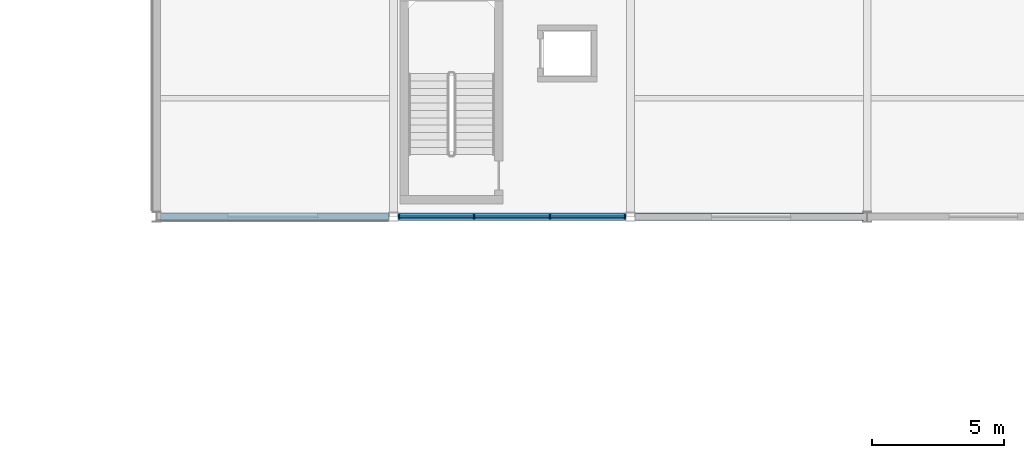
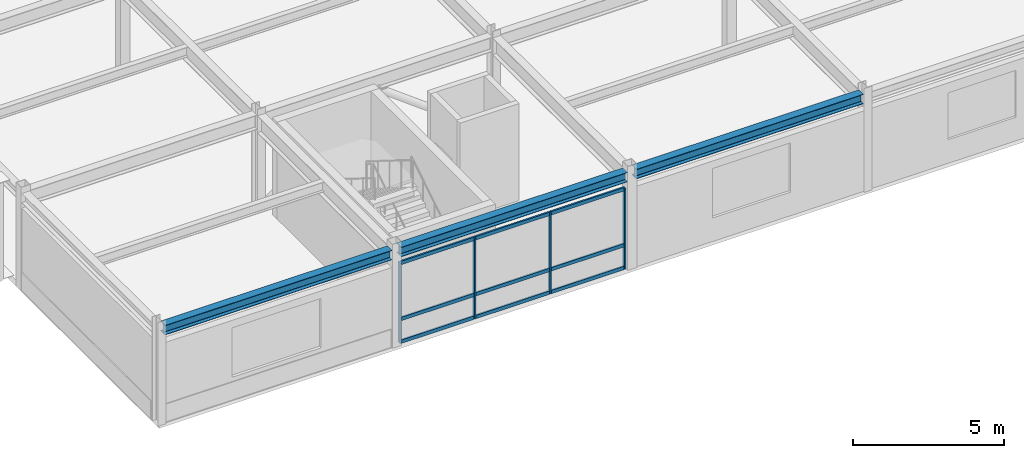
# One storey, part 16 of 53: 13 members, 3 beams, 1 element without a shape of its own.
"""IFC4 building model written with IfcOpenShell, lengths in metres."""

from ifc_helpers import new_model, si_unit, direction, frame, origin, origin_2d, place, context, subcontext, project, spatial, rectangle, i_section, extrude, material, material_profile, profile_set, type_object, element, aggregate, save


model = new_model("IFC4")

# Units and contexts
model_context = context("Model", 3, precision=1e-05, world=origin(), true_north=direction((0.0, 1.0)))
body_context = subcontext(model_context, "Body", "Model", "MODEL_VIEW")
ifc_project = project(units=[si_unit("LENGTHUNIT", "METRE"), si_unit("AREAUNIT", "SQUARE_METRE"), si_unit("VOLUMEUNIT", "CUBIC_METRE"), si_unit("PLANEANGLEUNIT", "RADIAN"), si_unit("MASSUNIT", "GRAM", prefix="KILO")], contexts=[model_context])

# Site, building, storey
site_placement = place(None, origin())
site = spatial("IfcSite", under=ifc_project, at=site_placement, CompositionType="ELEMENT")
building_placement = place(site_placement, origin())
building = spatial("IfcBuilding", under=site, at=building_placement, Name="Suzunagisa Mobility Hub", CompositionType="ELEMENT")
storey_placement = place(building_placement, frame((0.0, 0.0, 17.699951171875)))
storey = spatial("IfcBuildingStorey", under=building, at=storey_placement, Name="L04", CompositionType="ELEMENT", Elevation=17.699951171875)

# Curtain wall, members
ifc_material_1 = material(Name="Thermally Broken Anodized Aluminum and Low-E Glazing", Category="aluminium")
curtain_wall_type = type_object("IfcCurtainWallType", Name="Unitised Curtain Wall CW-13 8750x3200", PredefinedType="USERDEFINED", material=ifc_material_1)
curtain_wall_placement = place(storey_placement, origin())
curtain_wall = element("IfcCurtainWall", 1, at=curtain_wall_placement, inside=storey, type_object=curtain_wall_type, Name="L04 Unitised Curtain Wall CW-131", ObjectType="UNITISED CURTAIN WALL", PredefinedType="USERDEFINED")
ifc_material_2 = material(Name="Anodized Aluminum 6063-T6", Category="aluminium")
ifc_material_profile_1 = material_profile(ifc_material_2, rectangle(XDim=0.06494140625, YDim=0.139892578125, at=origin_2d()), Name="TRAN-65x140")
ifc_profile_set_1 = profile_set([ifc_material_profile_1], Name="Anodized Aluminum 6063-T6")
member_type_1 = type_object("IfcMemberType", Name="Curtain Wall Framing CM-01 TRAN-65x140", PredefinedType="USERDEFINED", material=ifc_profile_set_1)
member_1_placement = place(storey_placement, frame((54.23291015625, 80.0, 0.032470703125), z_axis=(1.0, 0.0, 0.0), x_axis=(0.0, 1.0, 0.0)))
member_1 = element("IfcMember", 2, at=member_1_placement, type_object=member_type_1, Name="Curtain Wall Transom 131-T1.1", ObjectType="TRANSOM", PredefinedType="USERDEFINED", context=body_context, shape_type="SweptSolid", body=[
    extrude(rectangle(XDim=0.06494140625, YDim=0.139892578125, at=origin_2d()), origin(), (0.0, 0.0, 1.0), 2.79736328125),
])
member_2_placement = place(storey_placement, frame((54.23291015625, 80.0, 0.949951171875), z_axis=(1.0, 0.0, 0.0), x_axis=(0.0, 1.0, 0.0)))
member_2 = element("IfcMember", 3, at=member_2_placement, type_object=member_type_1, Name="Curtain Wall Transom 131-T1.2", ObjectType="TRANSOM", PredefinedType="USERDEFINED", context=body_context, shape_type="SweptSolid", body=[
    extrude(rectangle(XDim=0.06494140625, YDim=0.139892578125, at=origin_2d()), origin(), (0.0, 0.0, 1.0), 2.79736328125),
])
member_3_placement = place(storey_placement, frame((54.23291015625, 80.0, 3.217529296875), z_axis=(1.0, 0.0, 0.0), x_axis=(0.0, 1.0, 0.0)))
member_3 = element("IfcMember", 4, at=member_3_placement, type_object=member_type_1, Name="Curtain Wall Transom 131-T1.3", ObjectType="TRANSOM", PredefinedType="USERDEFINED", context=body_context, shape_type="SweptSolid", body=[
    extrude(rectangle(XDim=0.06494140625, YDim=0.139892578125, at=origin_2d()), origin(), (0.0, 0.0, 1.0), 2.79736328125),
])
member_4_placement = place(storey_placement, frame((57.086181640625, 80.0, 0.032470703125), z_axis=(1.0, 0.0, 0.0), x_axis=(0.0, 1.0, 0.0)))
member_4 = element("IfcMember", 5, at=member_4_placement, type_object=member_type_1, Name="Curtain Wall Transom 131-T2.1", ObjectType="TRANSOM", PredefinedType="USERDEFINED", context=body_context, shape_type="SweptSolid", body=[
    extrude(rectangle(XDim=0.06494140625, YDim=0.139892578125, at=origin_2d()), origin(), (0.0, 0.0, 1.0), 2.82763671875),
])
member_5_placement = place(storey_placement, frame((57.086181640625, 80.0, 0.949951171875), z_axis=(1.0, 0.0, 0.0), x_axis=(0.0, 1.0, 0.0)))
member_5 = element("IfcMember", 6, at=member_5_placement, type_object=member_type_1, Name="Curtain Wall Transom 131-T2.2", ObjectType="TRANSOM", PredefinedType="USERDEFINED", context=body_context, shape_type="SweptSolid", body=[
    extrude(rectangle(XDim=0.06494140625, YDim=0.139892578125, at=origin_2d()), origin(), (0.0, 0.0, 1.0), 2.82763671875),
])
member_6_placement = place(storey_placement, frame((57.086181640625, 80.0, 3.217529296875), z_axis=(1.0, 0.0, 0.0), x_axis=(0.0, 1.0, 0.0)))
member_6 = element("IfcMember", 7, at=member_6_placement, type_object=member_type_1, Name="Curtain Wall Transom 131-T2.3", ObjectType="TRANSOM", PredefinedType="USERDEFINED", context=body_context, shape_type="SweptSolid", body=[
    extrude(rectangle(XDim=0.06494140625, YDim=0.139892578125, at=origin_2d()), origin(), (0.0, 0.0, 1.0), 2.82763671875),
])
member_7_placement = place(storey_placement, frame((59.9697265625, 80.0, 0.032470703125), z_axis=(1.0, 0.0, 0.0), x_axis=(0.0, 1.0, 0.0)))
member_7 = element("IfcMember", 8, at=member_7_placement, type_object=member_type_1, Name="Curtain Wall Transom 131-T3.1", ObjectType="TRANSOM", PredefinedType="USERDEFINED", context=body_context, shape_type="SweptSolid", body=[
    extrude(rectangle(XDim=0.06494140625, YDim=0.139892578125, at=origin_2d()), origin(), (0.0, 0.0, 1.0), 2.79736328125),
])
member_8_placement = place(storey_placement, frame((59.9697265625, 80.0, 0.949951171875), z_axis=(1.0, 0.0, 0.0), x_axis=(0.0, 1.0, 0.0)))
member_8 = element("IfcMember", 9, at=member_8_placement, type_object=member_type_1, Name="Curtain Wall Transom 131-T3.2", ObjectType="TRANSOM", PredefinedType="USERDEFINED", context=body_context, shape_type="SweptSolid", body=[
    extrude(rectangle(XDim=0.06494140625, YDim=0.139892578125, at=origin_2d()), origin(), (0.0, 0.0, 1.0), 2.79736328125),
])
member_9_placement = place(storey_placement, frame((59.9697265625, 80.0, 3.217529296875), z_axis=(1.0, 0.0, 0.0), x_axis=(0.0, 1.0, 0.0)))
member_9 = element("IfcMember", 10, at=member_9_placement, type_object=member_type_1, Name="Curtain Wall Transom 131-T3.3", ObjectType="TRANSOM", PredefinedType="USERDEFINED", context=body_context, shape_type="SweptSolid", body=[
    extrude(rectangle(XDim=0.06494140625, YDim=0.139892578125, at=origin_2d()), origin(), (0.0, 0.0, 1.0), 2.79736328125),
])
ifc_material_profile_2 = material_profile(ifc_material_2, rectangle(XDim=0.06005859375, YDim=0.14990234375, at=origin_2d()), Name="MULL-60x150")
ifc_profile_set_2 = profile_set([ifc_material_profile_2], Name="Anodized Aluminum 6063-T6")
member_type_2 = type_object("IfcMemberType", Name="Curtain Wall Framing CM-03 MULL-60x150", PredefinedType="MULLION", material=ifc_profile_set_2)
member_10_placement = place(storey_placement, frame((54.205078125, 80.0, 0.0), z_axis=(0.0, 0.0, 1.0), x_axis=(1.0, 0.0, 0.0)))
member_10 = element("IfcMember", 11, at=member_10_placement, type_object=member_type_2, Name="Curtain Wall Mullion 131-M1", PredefinedType="MULLION", context=body_context, shape_type="SweptSolid", body=[
    extrude(rectangle(XDim=0.06005859375, YDim=0.14990234375, at=origin_2d()), origin(), (0.0, 0.0, 1.0), 3.25),
])
member_11_placement = place(storey_placement, frame((57.058349609375, 80.0, 0.0), z_axis=(0.0, 0.0, 1.0), x_axis=(1.0, 0.0, 0.0)))
member_11 = element("IfcMember", 12, at=member_11_placement, type_object=member_type_2, Name="Curtain Wall Mullion 131-M2", PredefinedType="MULLION", context=body_context, shape_type="SweptSolid", body=[
    extrude(rectangle(XDim=0.06005859375, YDim=0.14990234375, at=origin_2d()), origin(), (0.0, 0.0, 1.0), 3.25),
])
member_12_placement = place(storey_placement, frame((59.941650390625, 80.0, 0.0), z_axis=(0.0, 0.0, 1.0), x_axis=(1.0, 0.0, 0.0)))
member_12 = element("IfcMember", 13, at=member_12_placement, type_object=member_type_2, Name="Curtain Wall Mullion 131-M3", PredefinedType="MULLION", context=body_context, shape_type="SweptSolid", body=[
    extrude(rectangle(XDim=0.06005859375, YDim=0.14990234375, at=origin_2d()), origin(), (0.0, 0.0, 1.0), 3.25),
])
member_13_placement = place(storey_placement, frame((62.794921875, 80.0, 0.0), z_axis=(0.0, 0.0, 1.0), x_axis=(1.0, 0.0, 0.0)))
member_13 = element("IfcMember", 14, at=member_13_placement, type_object=member_type_2, Name="Curtain Wall Mullion 131-M4", PredefinedType="MULLION", context=body_context, shape_type="SweptSolid", body=[
    extrude(rectangle(XDim=0.06005859375, YDim=0.14990234375, at=origin_2d()), origin(), (0.0, 0.0, 1.0), 3.25),
])
aggregate(curtain_wall, [member_10, member_11, member_12, member_13, member_1, member_2, member_3, member_4, member_5, member_6, member_7, member_8, member_9])

# Beams
ifc_material_3 = material(Name="Steel SN490B", Category="steel")
ifc_material_profile_3 = material_profile(ifc_material_3, i_section(OverallWidth=0.300048828125, OverallDepth=0.389892578125, WebThickness=0.010009765625, FlangeThickness=0.01611328125, FilletRadius=0.012939453125, at=origin_2d()), Name="H-390x300x10x16")
ifc_profile_set_3 = profile_set([ifc_material_profile_3], Name="Steel SN490B")
beam_type = type_object("IfcBeamType", Name="Steel Beam BM-13 H-390x300x10x16", PredefinedType="SPANDREL", material=ifc_profile_set_3)
beam_1_placement = place(storey_placement, frame((45.14599609375, 80.0, 3.755126953125), z_axis=(1.0, 0.0, 0.0), x_axis=(0.0, 1.0, 0.0)))
element("IfcBeam", 15, at=beam_1_placement, inside=storey, type_object=beam_type, Name="L04 Primary Girder GX-1143", PredefinedType="SPANDREL", context=body_context, shape_type="SweptSolid", body=[
    extrude(i_section(OverallWidth=0.300048828125, OverallDepth=0.389892578125, WebThickness=0.010009765625, FlangeThickness=0.01611328125, FilletRadius=0.012939453125, at=origin_2d()), origin(), (0.0, 0.0, 1.0), 8.68310546875),
])
beam_2_placement = place(storey_placement, frame((54.1708984375, 80.0, 3.755126953125), z_axis=(1.0, 0.0, 0.0), x_axis=(0.0, 1.0, 0.0)))
element("IfcBeam", 16, at=beam_2_placement, inside=storey, type_object=beam_type, Name="L04 Primary Girder GX-1144", PredefinedType="SPANDREL", context=body_context, shape_type="SweptSolid", body=[
    extrude(i_section(OverallWidth=0.300048828125, OverallDepth=0.389892578125, WebThickness=0.010009765625, FlangeThickness=0.01611328125, FilletRadius=0.012939453125, at=origin_2d()), origin(), (0.0, 0.0, 1.0), 8.658203125),
])
beam_3_placement = place(storey_placement, frame((63.1708984375, 80.0, 3.755126953125), z_axis=(1.0, 0.0, 0.0), x_axis=(0.0, 1.0, 0.0)))
element("IfcBeam", 17, at=beam_3_placement, inside=storey, type_object=beam_type, Name="L04 Primary Girder GX-1145", PredefinedType="SPANDREL", context=body_context, shape_type="SweptSolid", body=[
    extrude(i_section(OverallWidth=0.300048828125, OverallDepth=0.389892578125, WebThickness=0.010009765625, FlangeThickness=0.01611328125, FilletRadius=0.012939453125, at=origin_2d()), origin(), (0.0, 0.0, 1.0), 8.68310546875),
])

save(model, "model.ifc")
